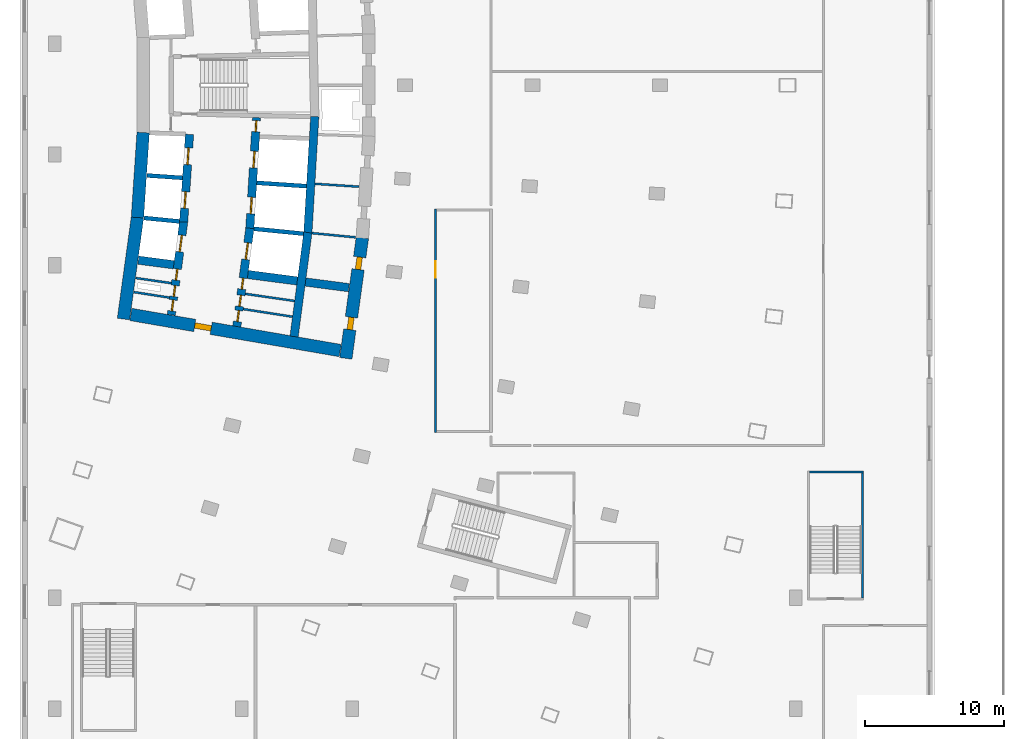
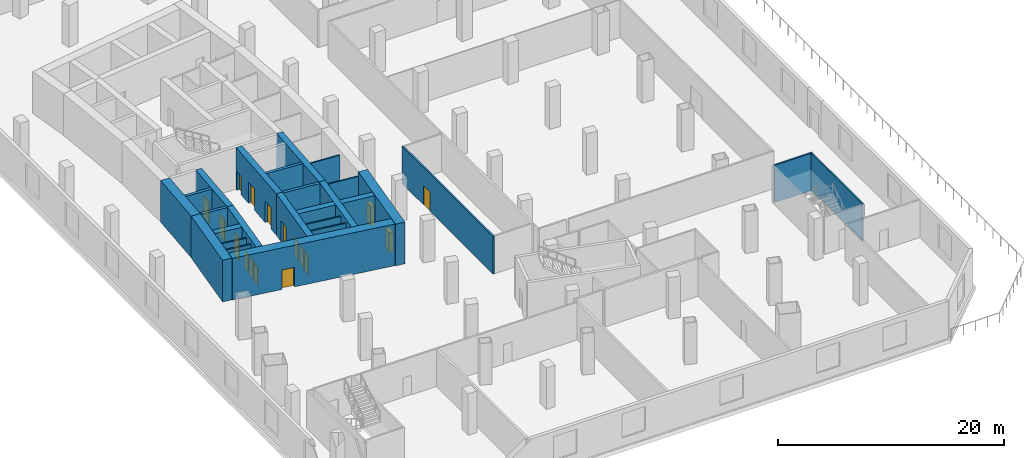
# One storey, part 3 of 14: 26 walls, 17 doors, 17 openings.
"""IFC4 building model written with IfcOpenShell, lengths in metres."""

from ifc_helpers import new_model, si_unit, direction, frame, frame_2d, origin, place, context, subcontext, project, spatial, rectangle, extrude, material, layer, layer_set, type_object, element, fill, save


model = new_model("IFC4")

# Units and contexts
model_context = context("Model", 3, precision=1e-05, world=origin(), true_north=direction((0.0, 1.0)))
body_context = subcontext(model_context, "Body", "Model", "MODEL_VIEW")
ifc_project = project(units=[si_unit("LENGTHUNIT", "METRE"), si_unit("AREAUNIT", "SQUARE_METRE"), si_unit("VOLUMEUNIT", "CUBIC_METRE"), si_unit("PLANEANGLEUNIT", "RADIAN"), si_unit("MASSUNIT", "GRAM", prefix="KILO")], contexts=[model_context])

# Site, building, storey
site_placement = place(None, origin())
site = spatial("IfcSite", under=ifc_project, at=site_placement, CompositionType="ELEMENT")
building_placement = place(site_placement, origin())
building = spatial("IfcBuilding", under=site, at=building_placement, Name="Alderwake Tower", CompositionType="ELEMENT")
storey_placement = place(building_placement, frame((0.0, 0.0, 23.0)))
storey = spatial("IfcBuildingStorey", under=building, at=storey_placement, Name="L04", CompositionType="ELEMENT", Elevation=23.0)

# Walls
ifc_material_1 = material(Name="Gypsum shaft wall system, rated")
ifc_layer_1 = layer(ifc_material_1, 0.14990234375)
ifc_layer_set_1 = layer_set([ifc_layer_1], Name="Core room partition 150")
wall_type_1 = type_object("IfcWallType", Name="Core room partition 150", PredefinedType="PARTITIONING", material=ifc_layer_set_1)
wall_1_placement = place(storey_placement, frame((16.2216796875, 46.0673828125, 0.0), z_axis=(0.0, 0.0, 1.0), x_axis=(0.988167260949, -0.153380130356, 0.0)))
element("IfcWall", 1, at=wall_1_placement, inside=storey, type_object=wall_type_1, Name="CW/L04/PR-161_+0", PredefinedType="PARTITIONING", context=body_context, shape_type="SweptSolid", body=[
    extrude(rectangle(XDim=2.593017578125, YDim=0.14990234375, at=frame_2d((1.29638671875, 0.0))), origin(), (0.0, 0.0, 1.0), 4.050048828125),
])
wall_2_placement = place(storey_placement, frame((24.117431640625, 44.842041015625, 0.0), z_axis=(0.0, 0.0, 1.0), x_axis=(0.988173903359, -0.153337329832, 0.0)))
element("IfcWall", 2, at=wall_2_placement, inside=storey, type_object=wall_type_1, Name="CW/L04/PR-161_+86", PredefinedType="PARTITIONING", context=body_context, shape_type="SweptSolid", body=[
    extrude(rectangle(XDim=3.5966796875, YDim=0.14990234375, at=frame_2d((1.79833984375, 0.0))), origin(), (0.0, 0.0, 1.0), 4.050048828125),
])
wall_3_placement = place(storey_placement, frame((16.361328125, 47.08203125, 0.0), z_axis=(0.0, 0.0, 1.0), x_axis=(0.989733250733, -0.142926877787, 0.0)))
element("IfcWall", 3, at=wall_3_placement, inside=storey, type_object=wall_type_1, Name="CW/L04/PR-150_+0", PredefinedType="PARTITIONING", context=body_context, shape_type="SweptSolid", body=[
    extrude(rectangle(XDim=2.587890625, YDim=0.14990234375, at=frame_2d((1.2939453125, 0.0))), origin(), (0.0, 0.0, 1.0), 4.050048828125),
])
wall_4_placement = place(storey_placement, frame((24.263916015625, 45.940673828125, 0.0), z_axis=(0.0, 0.0, 1.0), x_axis=(0.989732412963, -0.142932679013, 0.0)))
element("IfcWall", 4, at=wall_4_placement, inside=storey, type_object=wall_type_1, Name="CW/L04/PR-150_+86", PredefinedType="PARTITIONING", context=body_context, shape_type="SweptSolid", body=[
    extrude(rectangle(XDim=3.595458984375, YDim=0.14990234375, at=frame_2d((1.7978515625, 0.0))), origin(), (0.0, 0.0, 1.0), 4.050048828125),
])
wall_5_placement = place(storey_placement, frame((29.0791015625, 50.326416015625, 0.0), z_axis=(0.0, 0.0, 1.0), x_axis=(0.995249181795, -0.097360495766, 0.0)))
element("IfcWall", 5, at=wall_5_placement, inside=storey, type_object=wall_type_1, Name="CW/L04/PR-102_+128", PredefinedType="PARTITIONING", context=body_context, shape_type="SweptSolid", body=[
    extrude(rectangle(XDim=3.169677734375, YDim=0.14990234375, at=frame_2d((1.5849609375, 0.0))), origin(), (0.0, 0.0, 1.0), 4.050048828125),
])
wall_6_placement = place(storey_placement, frame((29.289794921875, 53.883056640625, 0.0), z_axis=(0.0, 0.0, 1.0), x_axis=(0.997885290873, -0.064999586616, 0.0)))
element("IfcWall", 6, at=wall_6_placement, inside=storey, type_object=wall_type_1, Name="CW/L04/PR-68_+128", PredefinedType="PARTITIONING", context=body_context, shape_type="SweptSolid", body=[
    extrude(rectangle(XDim=3.18896484375, YDim=0.14990234375, at=frame_2d((1.594482421875, 0.0))), origin(), (0.0, 0.0, 1.0), 4.050048828125),
])
ifc_material_2 = material(Name="Concrete C70/85", Category="concrete")
ifc_layer_2 = layer(ifc_material_2, 0.89990234375)
ifc_layer_set_2 = layer_set([ifc_layer_2], Name="Core wall outer 900 C70-85")
wall_type_2 = type_object("IfcWallType", Name="Core wall outer 900 C70-85", PredefinedType="SHEAR", material=ifc_layer_set_2)
wall_7_placement = place(storey_placement, frame((15.46923828125, 44.1201171875, 0.0), z_axis=(0.0, 0.0, 1.0), x_axis=(0.136337234661, 0.990662484626, 0.0)))
element("IfcWall", 7, at=wall_7_placement, inside=storey, type_object=wall_type_2, Name="Core wall CW.042", PredefinedType="SHEAR", context=body_context, shape_type="SweptSolid", body=[
    extrude(rectangle(XDim=7.431396484375, YDim=0.89990234375, at=frame_2d((3.7158203125, 0.0))), origin(), (0.0, 0.0, 1.0), 4.5),
])
wall_8_placement = place(storey_placement, frame((16.47900390625, 51.449951171875, 0.0), z_axis=(0.0, 0.0, 1.0), x_axis=(0.06689316208, 0.997760143956, 0.0)))
element("IfcWall", 8, at=wall_8_placement, inside=storey, type_object=wall_type_2, Name="Core wall CW.041", PredefinedType="SHEAR", context=body_context, shape_type="SweptSolid", body=[
    extrude(rectangle(XDim=6.149658203125, YDim=0.89990234375, at=frame_2d((3.07470703125, 0.0))), origin(), (0.0, 0.0, 1.0), 4.5),
])

# Wall, openings, doors
wall_9_placement = place(storey_placement, frame((32.7138671875, 49.9873046875, 0.0), z_axis=(0.0, 0.0, 1.0), x_axis=(-0.135844728876, -0.990730139663, 0.0)))
wall_9 = element("IfcWall", 9, at=wall_9_placement, inside=storey, type_object=wall_type_2, Name="Core wall CW.012", PredefinedType="SHEAR", context=body_context, shape_type="SweptSolid", body=[
    extrude(rectangle(XDim=8.78662109375, YDim=0.89990234375, at=frame_2d((4.393310546875, 0.0))), origin(), (0.0, 0.0, 1.0), 4.5),
])
opening_1_placement = place(wall_9_placement, frame((1.40673828125, 0.0, 0.0)))
opening_1 = element("IfcOpeningElement", 10, at=opening_1_placement, cuts=wall_9, Name="Opening C050", PredefinedType="OPENING", context=body_context, shape_type="SweptSolid", body=[
    extrude(rectangle(XDim=0.89990234375, YDim=2.10009765625, at=frame_2d((0.449951171875, 1.050048828125))), frame((0.0, 0.4599609375, 0.0), z_axis=(0.0, -1.0, 0.0), x_axis=(1.0, 0.0, 0.0)), (0.0, 0.0, 1.0), 0.919921875),
])
opening_2_placement = place(wall_9_placement, frame((5.79248046875, 0.0, 0.0)))
opening_2 = element("IfcOpeningElement", 11, at=opening_2_placement, cuts=wall_9, Name="Opening C061", PredefinedType="OPENING", context=body_context, shape_type="SweptSolid", body=[
    extrude(rectangle(XDim=0.89990234375, YDim=2.10009765625, at=frame_2d((0.449951171875, 1.050048828125))), frame((0.0, 0.4599609375, 0.0), z_axis=(0.0, -1.0, 0.0), x_axis=(1.0, 0.0, 0.0)), (0.0, 0.0, 1.0), 0.919921875),
])
ifc_material_3 = material(Name="Painted steel leaf", Category="steel")
door_type_1 = type_object("IfcDoorType", Name="Core room door 900", OperationType="SINGLE_SWING_LEFT", PredefinedType="DOOR", material=ifc_material_3)
door_1_placement = place(opening_1_placement, origin())
door_1 = element("IfcDoor", 12, at=door_1_placement, inside=storey, type_object=door_type_1, Name="Room door", OperationType="SINGLE_SWING_RIGHT", OverallHeight=2.10009765625, OverallWidth=0.89990234375, PredefinedType="DOOR", context=body_context, shape_type="SweptSolid", body=[
    extrude(rectangle(XDim=0.89990234375, YDim=2.10009765625, at=frame_2d((0.449951171875, 1.050048828125))), frame((0.0, 0.199951171875, 0.0), z_axis=(0.0, -1.0, 0.0), x_axis=(1.0, 0.0, 0.0)), (0.0, 0.0, 1.0), 0.39990234375),
])
fill(opening_1, door_1)
door_2_placement = place(opening_2_placement, origin())
door_2 = element("IfcDoor", 13, at=door_2_placement, inside=storey, type_object=door_type_1, Name="Room door", OperationType="SINGLE_SWING_LEFT", OverallHeight=2.10009765625, OverallWidth=0.89990234375, PredefinedType="DOOR", context=body_context, shape_type="SweptSolid", body=[
    extrude(rectangle(XDim=0.89990234375, YDim=2.10009765625, at=frame_2d((0.449951171875, 1.050048828125))), frame((0.0, 0.199951171875, 0.0), z_axis=(0.0, -1.0, 0.0), x_axis=(1.0, 0.0, 0.0)), (0.0, 0.0, 1.0), 0.39990234375),
])
fill(opening_2, door_2)

# Wall, opening, door
wall_10_placement = place(storey_placement, frame((31.11328125, 41.846923828125, 0.0), z_axis=(0.0, 0.0, 1.0), x_axis=(-0.985466640605, 0.169869067972, 0.0)))
wall_10 = element("IfcWall", 14, at=wall_10_placement, inside=storey, type_object=wall_type_2, Name="Core wall CW.070", PredefinedType="SHEAR", context=body_context, shape_type="SweptSolid", body=[
    extrude(rectangle(XDim=15.336669921875, YDim=0.89990234375, at=frame_2d((7.66845703125, 0.0))), origin(), (0.0, 0.0, 1.0), 4.5),
])
opening_3_placement = place(wall_10_placement, frame((9.451904296875, 0.0, 0.0)))
opening_3 = element("IfcOpeningElement", 15, at=opening_3_placement, cuts=wall_10, Name="Opening C003", PredefinedType="OPENING", context=body_context, shape_type="SweptSolid", body=[
    extrude(rectangle(XDim=1.199951171875, YDim=2.10009765625, at=frame_2d((0.60009765625, 1.050048828125))), frame((0.0, 0.4599609375, 0.0), z_axis=(0.0, -1.0, 0.0), x_axis=(1.0, 0.0, 0.0)), (0.0, 0.0, 1.0), 0.919921875),
])
ifc_material_4 = material(Name="Steel-framed fire door leaf", Category="steel")
door_type_2 = type_object("IfcDoorType", Name="Core lobby exit door 1200 fire-rated", OperationType="SINGLE_SWING_LEFT", PredefinedType="DOOR", material=ifc_material_4)
door_3_placement = place(opening_3_placement, origin())
door_3 = element("IfcDoor", 16, at=door_3_placement, inside=storey, type_object=door_type_2, Name="Lobby door", OperationType="SINGLE_SWING_LEFT", OverallHeight=2.10009765625, OverallWidth=1.199951171875, PredefinedType="DOOR", context=body_context, shape_type="SweptSolid", body=[
    extrude(rectangle(XDim=1.199951171875, YDim=2.10009765625, at=frame_2d((0.60009765625, 1.050048828125))), frame((0.0, 0.199951171875, 0.0), z_axis=(0.0, -1.0, 0.0), x_axis=(1.0, 0.0, 0.0)), (0.0, 0.0, 1.0), 0.39990234375),
])
fill(opening_3, door_3)

# Walls
ifc_material_5 = material(Name="Concrete C70/85", Category="concrete")
ifc_layer_3 = layer(ifc_material_5, 0.300048828125)
ifc_layer_set_3 = layer_set([ifc_layer_3], Name="Core wall shaft 300 C70-85")
wall_type_3 = type_object("IfcWallType", Name="Core wall shaft 300 C70-85", PredefinedType="SHEAR", material=ifc_layer_set_3)
wall_11_placement = place(storey_placement, frame((16.9580078125, 51.4189453125, 0.0), z_axis=(0.0, 0.0, 1.0), x_axis=(0.995153154577, -0.098337169657, 0.0)))
element("IfcWall", 17, at=wall_11_placement, inside=storey, type_object=wall_type_3, Name="Core wall CW.065", PredefinedType="SHEAR", context=body_context, shape_type="SweptSolid", body=[
    extrude(rectangle(XDim=2.569580078125, YDim=0.300048828125, at=frame_2d((1.28466796875, 0.0))), origin(), (0.0, 0.0, 1.0), 4.5),
])
wall_12_placement = place(storey_placement, frame((24.889404296875, 50.635009765625, 0.0), z_axis=(0.0, 0.0, 1.0), x_axis=(0.995156121494, -0.098307140396, 0.0)))
element("IfcWall", 18, at=wall_12_placement, inside=storey, type_object=wall_type_3, Name="Core wall CW.066", PredefinedType="SHEAR", context=body_context, shape_type="SweptSolid", body=[
    extrude(rectangle(XDim=3.595947265625, YDim=0.300048828125, at=frame_2d((1.7978515625, 0.0))), origin(), (0.0, 0.0, 1.0), 4.5),
])
wall_13_placement = place(storey_placement, frame((17.16357421875, 54.486083984375, 0.0), z_axis=(0.0, 0.0, 1.0), x_axis=(0.997758581961, -0.066916456292, 0.0)))
element("IfcWall", 19, at=wall_13_placement, inside=storey, type_object=wall_type_3, Name="Core wall CW.079", PredefinedType="SHEAR", context=body_context, shape_type="SweptSolid", body=[
    extrude(rectangle(XDim=2.568603515625, YDim=0.300048828125, at=frame_2d((1.2841796875, 0.0))), origin(), (0.0, 0.0, 1.0), 4.5),
])
wall_14_placement = place(storey_placement, frame((25.090087890625, 53.954833984375, 0.0), z_axis=(0.0, 0.0, 1.0), x_axis=(0.997758045734, -0.066924451231, 0.0)))
element("IfcWall", 20, at=wall_14_placement, inside=storey, type_object=wall_type_3, Name="Core wall CW.080", PredefinedType="SHEAR", context=body_context, shape_type="SweptSolid", body=[
    extrude(rectangle(XDim=3.596923828125, YDim=0.300048828125, at=frame_2d((1.79833984375, 0.0))), origin(), (0.0, 0.0, 1.0), 4.5),
])

# Wall, openings, doors
ifc_material_6 = material(Name="Concrete C70/85", Category="concrete")
ifc_layer_4 = layer(ifc_material_6, 0.60009765625)
ifc_layer_set_4 = layer_set([ifc_layer_4], Name="Core wall spine 600 C70-85")
wall_type_4 = type_object("IfcWallType", Name="Core wall spine 600 C70-85", PredefinedType="SHEAR", material=ifc_layer_set_4)
wall_15_placement = place(storey_placement, frame((19.815185546875, 51.14697265625, 0.0), z_axis=(0.0, 0.0, 1.0), x_axis=(-0.131854836214, -0.991269036219, 0.0)))
wall_15 = element("IfcWall", 21, at=wall_15_placement, inside=storey, type_object=wall_type_4, Name="Core wall CW.033", PredefinedType="SHEAR", context=body_context, shape_type="SweptSolid", body=[
    extrude(rectangle(XDim=6.782470703125, YDim=0.60009765625, at=frame_2d((3.39111328125, 0.0))), origin(), (0.0, 0.0, 1.0), 4.5),
])
opening_4_placement = place(wall_15_placement, frame((0.9921875, 0.0, 0.0)))
opening_4 = element("IfcOpeningElement", 22, at=opening_4_placement, cuts=wall_15, Name="Opening LD-LP1", PredefinedType="OPENING", context=body_context, shape_type="SweptSolid", body=[
    extrude(rectangle(XDim=1.199951171875, YDim=2.300048828125, at=frame_2d((0.60009765625, 1.14990234375))), frame((0.0, 0.31005859375, 0.0), z_axis=(0.0, -1.0, 0.0), x_axis=(1.0, 0.0, 0.0)), (0.0, 0.0, 1.0), 0.6201171875),
])
opening_5_placement = place(wall_15_placement, frame((5.699951171875, 0.0, 0.0)))
opening_5 = element("IfcOpeningElement", 23, at=opening_5_placement, cuts=wall_15, Name="Opening C009", PredefinedType="OPENING", context=body_context, shape_type="SweptSolid", body=[
    extrude(rectangle(XDim=0.800048828125, YDim=2.0, at=frame_2d((0.39990234375, 1.0))), frame((0.0, 0.31005859375, 0.0), z_axis=(0.0, -1.0, 0.0), x_axis=(1.0, 0.0, 0.0)), (0.0, 0.0, 1.0), 0.6201171875),
])
opening_6_placement = place(wall_15_placement, frame((4.64501953125, 0.0, 0.0)))
opening_6 = element("IfcOpeningElement", 24, at=opening_6_placement, cuts=wall_15, Name="Opening C011", PredefinedType="OPENING", context=body_context, shape_type="SweptSolid", body=[
    extrude(rectangle(XDim=0.800048828125, YDim=2.0, at=frame_2d((0.39990234375, 1.0))), frame((0.0, 0.31005859375, 0.0), z_axis=(0.0, -1.0, 0.0), x_axis=(1.0, 0.0, 0.0)), (0.0, 0.0, 1.0), 0.6201171875),
])
opening_7_placement = place(wall_15_placement, frame((3.4462890625, 0.0, 0.0)))
opening_7 = element("IfcOpeningElement", 25, at=opening_7_placement, cuts=wall_15, Name="Opening C012", PredefinedType="OPENING", context=body_context, shape_type="SweptSolid", body=[
    extrude(rectangle(XDim=0.800048828125, YDim=2.0, at=frame_2d((0.39990234375, 1.0))), frame((0.0, 0.31005859375, 0.0), z_axis=(0.0, -1.0, 0.0), x_axis=(1.0, 0.0, 0.0)), (0.0, 0.0, 1.0), 0.6201171875),
])
ifc_material_7 = material(Name="Stainless steel sliding leaf", Category="steel")
door_type_3 = type_object("IfcDoorType", Name="Lift landing door 1200", OperationType="SLIDING_TO_LEFT", PredefinedType="DOOR", material=ifc_material_7)
door_4_placement = place(opening_4_placement, origin())
door_4 = element("IfcDoor", 26, at=door_4_placement, inside=storey, type_object=door_type_3, Name="Lift landing door LP1", OperationType="SLIDING_TO_LEFT", OverallHeight=2.300048828125, OverallWidth=1.199951171875, PredefinedType="DOOR", context=body_context, shape_type="SweptSolid", body=[
    extrude(rectangle(XDim=1.199951171875, YDim=2.300048828125, at=frame_2d((0.60009765625, 1.14990234375))), frame((0.0, 0.050048828125, 0.0), z_axis=(0.0, -1.0, 0.0), x_axis=(1.0, 0.0, 0.0)), (0.0, 0.0, 1.0), 0.10009765625),
])
fill(opening_4, door_4)
ifc_material_8 = material(Name="Painted steel leaf, rated", Category="steel")
door_type_4 = type_object("IfcDoorType", Name="Riser access door 800", OperationType="SINGLE_SWING_LEFT", PredefinedType="DOOR", material=ifc_material_8)
door_5_placement = place(opening_5_placement, origin())
door_5 = element("IfcDoor", 27, at=door_5_placement, inside=storey, type_object=door_type_4, Name="Riser access door", OperationType="SINGLE_SWING_LEFT", OverallHeight=2.0, OverallWidth=0.800048828125, PredefinedType="DOOR", context=body_context, shape_type="SweptSolid", body=[
    extrude(rectangle(XDim=0.800048828125, YDim=2.0, at=frame_2d((0.39990234375, 1.0))), frame((0.0, 0.050048828125, 0.0), z_axis=(0.0, -1.0, 0.0), x_axis=(1.0, 0.0, 0.0)), (0.0, 0.0, 1.0), 0.10009765625),
])
fill(opening_5, door_5)
door_6_placement = place(opening_6_placement, origin())
door_6 = element("IfcDoor", 28, at=door_6_placement, inside=storey, type_object=door_type_4, Name="Riser access door", OperationType="SINGLE_SWING_RIGHT", OverallHeight=2.0, OverallWidth=0.800048828125, PredefinedType="DOOR", context=body_context, shape_type="SweptSolid", body=[
    extrude(rectangle(XDim=0.800048828125, YDim=2.0, at=frame_2d((0.39990234375, 1.0))), frame((0.0, 0.050048828125, 0.0), z_axis=(0.0, -1.0, 0.0), x_axis=(1.0, 0.0, 0.0)), (0.0, 0.0, 1.0), 0.10009765625),
])
fill(opening_6, door_6)
door_7_placement = place(opening_7_placement, origin())
door_7 = element("IfcDoor", 29, at=door_7_placement, inside=storey, type_object=door_type_4, Name="Riser access door", OperationType="SINGLE_SWING_LEFT", OverallHeight=2.0, OverallWidth=0.800048828125, PredefinedType="DOOR", context=body_context, shape_type="SweptSolid", body=[
    extrude(rectangle(XDim=0.800048828125, YDim=2.0, at=frame_2d((0.39990234375, 1.0))), frame((0.0, 0.050048828125, 0.0), z_axis=(0.0, -1.0, 0.0), x_axis=(1.0, 0.0, 0.0)), (0.0, 0.0, 1.0), 0.10009765625),
])
fill(opening_7, door_7)

wall_16_placement = place(storey_placement, frame((19.813232421875, 51.12646484375, 0.0), z_axis=(0.0, 0.0, 1.0), x_axis=(0.066892179723, 0.997760209816, 0.0)))
wall_16 = element("IfcWall", 30, at=wall_16_placement, inside=storey, type_object=wall_type_4, Name="Core wall CW.032", PredefinedType="SHEAR", context=body_context, shape_type="SweptSolid", body=[
    extrude(rectangle(XDim=6.339599609375, YDim=0.60009765625, at=frame_2d((3.169921875, 0.0))), origin(), (0.0, 0.0, 1.0), 4.5),
])
opening_8_placement = place(wall_16_placement, frame((0.992431640625, 0.0, 0.0)))
opening_8 = element("IfcOpeningElement", 31, at=opening_8_placement, cuts=wall_16, Name="Opening LD-LP2", PredefinedType="OPENING", context=body_context, shape_type="SweptSolid", body=[
    extrude(rectangle(XDim=1.199951171875, YDim=2.300048828125, at=frame_2d((0.60009765625, 1.14990234375))), frame((0.0, 0.31005859375, 0.0), z_axis=(0.0, -1.0, 0.0), x_axis=(1.0, 0.0, 0.0)), (0.0, 0.0, 1.0), 0.6201171875),
])
opening_9_placement = place(wall_16_placement, frame((4.157470703125, 0.0, 0.0)))
opening_9 = element("IfcOpeningElement", 32, at=opening_9_placement, cuts=wall_16, Name="Opening LD-LP3", PredefinedType="OPENING", context=body_context, shape_type="SweptSolid", body=[
    extrude(rectangle(XDim=1.199951171875, YDim=2.300048828125, at=frame_2d((0.60009765625, 1.14990234375))), frame((0.0, 0.31005859375, 0.0), z_axis=(0.0, -1.0, 0.0), x_axis=(1.0, 0.0, 0.0)), (0.0, 0.0, 1.0), 0.6201171875),
])
door_8_placement = place(opening_8_placement, origin())
door_8 = element("IfcDoor", 33, at=door_8_placement, inside=storey, type_object=door_type_3, Name="Lift landing door LP2", OperationType="SLIDING_TO_LEFT", OverallHeight=2.300048828125, OverallWidth=1.199951171875, PredefinedType="DOOR", context=body_context, shape_type="SweptSolid", body=[
    extrude(rectangle(XDim=1.199951171875, YDim=2.300048828125, at=frame_2d((0.60009765625, 1.14990234375))), frame((0.0, 0.050048828125, 0.0), z_axis=(0.0, -1.0, 0.0), x_axis=(1.0, 0.0, 0.0)), (0.0, 0.0, 1.0), 0.10009765625),
])
fill(opening_8, door_8)
door_9_placement = place(opening_9_placement, origin())
door_9 = element("IfcDoor", 34, at=door_9_placement, inside=storey, type_object=door_type_3, Name="Lift landing door LP3", OperationType="SLIDING_TO_LEFT", OverallHeight=2.300048828125, OverallWidth=1.199951171875, PredefinedType="DOOR", context=body_context, shape_type="SweptSolid", body=[
    extrude(rectangle(XDim=1.199951171875, YDim=2.300048828125, at=frame_2d((0.60009765625, 1.14990234375))), frame((0.0, 0.050048828125, 0.0), z_axis=(0.0, -1.0, 0.0), x_axis=(1.0, 0.0, 0.0)), (0.0, 0.0, 1.0), 0.10009765625),
])
fill(opening_9, door_9)

wall_17_placement = place(storey_placement, frame((23.647705078125, 43.588134765625, 0.0), z_axis=(0.0, 0.0, 1.0), x_axis=(0.132069785658, 0.991240420744, 0.0)))
wall_17 = element("IfcWall", 35, at=wall_17_placement, inside=storey, type_object=wall_type_4, Name="Core wall CW.047", PredefinedType="SHEAR", context=body_context, shape_type="SweptSolid", body=[
    extrude(rectangle(XDim=7.150390625, YDim=0.60009765625, at=frame_2d((3.5751953125, 0.0))), origin(), (0.0, 0.0, 1.0), 4.5),
])
opening_10_placement = place(wall_17_placement, frame((4.88134765625, 0.0, 0.0)))
opening_10 = element("IfcOpeningElement", 36, at=opening_10_placement, cuts=wall_17, Name="Opening LD-LP4", PredefinedType="OPENING", context=body_context, shape_type="SweptSolid", body=[
    extrude(rectangle(XDim=1.199951171875, YDim=2.300048828125, at=frame_2d((0.60009765625, 1.14990234375))), frame((0.0, 0.31005859375, 0.0), z_axis=(0.0, -1.0, 0.0), x_axis=(1.0, 0.0, 0.0)), (0.0, 0.0, 1.0), 0.6201171875),
])
opening_11_placement = place(wall_17_placement, frame((0.35791015625, 0.0, 0.0)))
opening_11 = element("IfcOpeningElement", 37, at=opening_11_placement, cuts=wall_17, Name="Opening C016", PredefinedType="OPENING", context=body_context, shape_type="SweptSolid", body=[
    extrude(rectangle(XDim=0.800048828125, YDim=2.0, at=frame_2d((0.39990234375, 1.0))), frame((0.0, 0.31005859375, 0.0), z_axis=(0.0, -1.0, 0.0), x_axis=(1.0, 0.0, 0.0)), (0.0, 0.0, 1.0), 0.6201171875),
])
opening_12_placement = place(wall_17_placement, frame((1.46337890625, 0.0, 0.0)))
opening_12 = element("IfcOpeningElement", 38, at=opening_12_placement, cuts=wall_17, Name="Opening C018", PredefinedType="OPENING", context=body_context, shape_type="SweptSolid", body=[
    extrude(rectangle(XDim=0.800048828125, YDim=2.0, at=frame_2d((0.39990234375, 1.0))), frame((0.0, 0.31005859375, 0.0), z_axis=(0.0, -1.0, 0.0), x_axis=(1.0, 0.0, 0.0)), (0.0, 0.0, 1.0), 0.6201171875),
])
opening_13_placement = place(wall_17_placement, frame((2.719482421875, 0.0, 0.0)))
opening_13 = element("IfcOpeningElement", 39, at=opening_13_placement, cuts=wall_17, Name="Opening C019", PredefinedType="OPENING", context=body_context, shape_type="SweptSolid", body=[
    extrude(rectangle(XDim=0.800048828125, YDim=2.0, at=frame_2d((0.39990234375, 1.0))), frame((0.0, 0.31005859375, 0.0), z_axis=(0.0, -1.0, 0.0), x_axis=(1.0, 0.0, 0.0)), (0.0, 0.0, 1.0), 0.6201171875),
])
door_10_placement = place(opening_10_placement, origin())
door_10 = element("IfcDoor", 40, at=door_10_placement, inside=storey, type_object=door_type_3, Name="Lift landing door LP4", OperationType="SLIDING_TO_LEFT", OverallHeight=2.300048828125, OverallWidth=1.199951171875, PredefinedType="DOOR", context=body_context, shape_type="SweptSolid", body=[
    extrude(rectangle(XDim=1.199951171875, YDim=2.300048828125, at=frame_2d((0.60009765625, 1.14990234375))), frame((0.0, 0.050048828125, 0.0), z_axis=(0.0, -1.0, 0.0), x_axis=(1.0, 0.0, 0.0)), (0.0, 0.0, 1.0), 0.10009765625),
])
fill(opening_10, door_10)
door_11_placement = place(opening_11_placement, origin())
door_11 = element("IfcDoor", 41, at=door_11_placement, inside=storey, type_object=door_type_4, Name="Riser access door", OperationType="SINGLE_SWING_RIGHT", OverallHeight=2.0, OverallWidth=0.800048828125, PredefinedType="DOOR", context=body_context, shape_type="SweptSolid", body=[
    extrude(rectangle(XDim=0.800048828125, YDim=2.0, at=frame_2d((0.39990234375, 1.0))), frame((0.0, 0.050048828125, 0.0), z_axis=(0.0, -1.0, 0.0), x_axis=(1.0, 0.0, 0.0)), (0.0, 0.0, 1.0), 0.10009765625),
])
fill(opening_11, door_11)
door_12_placement = place(opening_12_placement, origin())
door_12 = element("IfcDoor", 42, at=door_12_placement, inside=storey, type_object=door_type_4, Name="Riser access door", OperationType="SINGLE_SWING_LEFT", OverallHeight=2.0, OverallWidth=0.800048828125, PredefinedType="DOOR", context=body_context, shape_type="SweptSolid", body=[
    extrude(rectangle(XDim=0.800048828125, YDim=2.0, at=frame_2d((0.39990234375, 1.0))), frame((0.0, 0.050048828125, 0.0), z_axis=(0.0, -1.0, 0.0), x_axis=(1.0, 0.0, 0.0)), (0.0, 0.0, 1.0), 0.10009765625),
])
fill(opening_12, door_12)
door_13_placement = place(opening_13_placement, origin())
door_13 = element("IfcDoor", 43, at=door_13_placement, inside=storey, type_object=door_type_4, Name="Riser access door", OperationType="SINGLE_SWING_RIGHT", OverallHeight=2.0, OverallWidth=0.800048828125, PredefinedType="DOOR", context=body_context, shape_type="SweptSolid", body=[
    extrude(rectangle(XDim=0.800048828125, YDim=2.0, at=frame_2d((0.39990234375, 1.0))), frame((0.0, 0.050048828125, 0.0), z_axis=(0.0, -1.0, 0.0), x_axis=(1.0, 0.0, 0.0)), (0.0, 0.0, 1.0), 0.10009765625),
])
fill(opening_13, door_13)

wall_18_placement = place(storey_placement, frame((24.58984375, 50.6533203125, 0.0), z_axis=(0.0, 0.0, 1.0), x_axis=(0.060323309079, 0.998178890972, 0.0)))
wall_18 = element("IfcWall", 44, at=wall_18_placement, inside=storey, type_object=wall_type_4, Name="Core wall CW.046", PredefinedType="SHEAR", context=body_context, shape_type="SweptSolid", body=[
    extrude(rectangle(XDim=8.025634765625, YDim=0.60009765625, at=frame_2d((4.0126953125, 0.0))), origin(), (0.0, 0.0, 1.0), 4.5),
])
opening_14_placement = place(wall_18_placement, frame((1.06884765625, 0.0, 0.0)))
opening_14 = element("IfcOpeningElement", 45, at=opening_14_placement, cuts=wall_18, Name="Opening LD-LP5", PredefinedType="OPENING", context=body_context, shape_type="SweptSolid", body=[
    extrude(rectangle(XDim=1.199951171875, YDim=2.300048828125, at=frame_2d((0.60009765625, 1.14990234375))), frame((0.0, 0.31005859375, 0.0), z_axis=(0.0, -1.0, 0.0), x_axis=(1.0, 0.0, 0.0)), (0.0, 0.0, 1.0), 0.6201171875),
])
opening_15_placement = place(wall_18_placement, frame((4.38525390625, 0.0, 0.0)))
opening_15 = element("IfcOpeningElement", 46, at=opening_15_placement, cuts=wall_18, Name="Opening LD-LP6", PredefinedType="OPENING", context=body_context, shape_type="SweptSolid", body=[
    extrude(rectangle(XDim=1.199951171875, YDim=2.300048828125, at=frame_2d((0.60009765625, 1.14990234375))), frame((0.0, 0.31005859375, 0.0), z_axis=(0.0, -1.0, 0.0), x_axis=(1.0, 0.0, 0.0)), (0.0, 0.0, 1.0), 0.6201171875),
])
opening_16_placement = place(wall_18_placement, frame((7.009521484375, 0.0, 0.0)))
opening_16 = element("IfcOpeningElement", 47, at=opening_16_placement, cuts=wall_18, Name="Opening C006", PredefinedType="OPENING", context=body_context, shape_type="SweptSolid", body=[
    extrude(rectangle(XDim=0.800048828125, YDim=2.0, at=frame_2d((0.39990234375, 1.0))), frame((0.0, 0.31005859375, 0.0), z_axis=(0.0, -1.0, 0.0), x_axis=(1.0, 0.0, 0.0)), (0.0, 0.0, 1.0), 0.6201171875),
])
door_14_placement = place(opening_14_placement, origin())
door_14 = element("IfcDoor", 48, at=door_14_placement, inside=storey, type_object=door_type_3, Name="Lift landing door LP5", OperationType="SLIDING_TO_LEFT", OverallHeight=2.300048828125, OverallWidth=1.199951171875, PredefinedType="DOOR", context=body_context, shape_type="SweptSolid", body=[
    extrude(rectangle(XDim=1.199951171875, YDim=2.300048828125, at=frame_2d((0.60009765625, 1.14990234375))), frame((0.0, 0.050048828125, 0.0), z_axis=(0.0, -1.0, 0.0), x_axis=(1.0, 0.0, 0.0)), (0.0, 0.0, 1.0), 0.10009765625),
])
fill(opening_14, door_14)
door_15_placement = place(opening_15_placement, origin())
door_15 = element("IfcDoor", 49, at=door_15_placement, inside=storey, type_object=door_type_3, Name="Lift landing door LP6", OperationType="SLIDING_TO_LEFT", OverallHeight=2.300048828125, OverallWidth=1.199951171875, PredefinedType="DOOR", context=body_context, shape_type="SweptSolid", body=[
    extrude(rectangle(XDim=1.199951171875, YDim=2.300048828125, at=frame_2d((0.60009765625, 1.14990234375))), frame((0.0, 0.050048828125, 0.0), z_axis=(0.0, -1.0, 0.0), x_axis=(1.0, 0.0, 0.0)), (0.0, 0.0, 1.0), 0.10009765625),
])
fill(opening_15, door_15)
door_16_placement = place(opening_16_placement, origin())
door_16 = element("IfcDoor", 50, at=door_16_placement, inside=storey, type_object=door_type_4, Name="Riser access door", OperationType="SINGLE_SWING_RIGHT", OverallHeight=2.0, OverallWidth=0.800048828125, PredefinedType="DOOR", context=body_context, shape_type="SweptSolid", body=[
    extrude(rectangle(XDim=0.800048828125, YDim=2.0, at=frame_2d((0.39990234375, 1.0))), frame((0.0, 0.050048828125, 0.0), z_axis=(0.0, -1.0, 0.0), x_axis=(1.0, 0.0, 0.0)), (0.0, 0.0, 1.0), 0.10009765625),
])
fill(opening_16, door_16)

# Walls
wall_19_placement = place(storey_placement, frame((27.78369140625, 42.85693359375, 0.0), z_axis=(0.0, 0.0, 1.0), x_axis=(0.131768985664, 0.991280451949, 0.0)))
element("IfcWall", 51, at=wall_19_placement, inside=storey, type_object=wall_type_4, Name="Core wall CW.006", PredefinedType="SHEAR", context=body_context, shape_type="SweptSolid", body=[
    extrude(rectangle(XDim=7.576171875, YDim=0.60009765625, at=frame_2d((3.7880859375, 0.0))), origin(), (0.0, 0.0, 1.0), 4.5),
])
wall_20_placement = place(storey_placement, frame((28.77978515625, 50.34423828125, 0.0), z_axis=(0.0, 0.0, 1.0), x_axis=(0.059133840665, 0.998250063305, 0.0)))
element("IfcWall", 52, at=wall_20_placement, inside=storey, type_object=wall_type_4, Name="Core wall CW.004", PredefinedType="SHEAR", context=body_context, shape_type="SweptSolid", body=[
    extrude(rectangle(XDim=8.409912109375, YDim=0.60009765625, at=frame_2d((4.205078125, 0.0))), origin(), (0.0, 0.0, 1.0), 4.5),
])
wall_21_placement = place(storey_placement, frame((16.5390625, 48.373291015625, 0.0), z_axis=(0.0, 0.0, 1.0), x_axis=(0.99156081818, -0.129642369037, 0.0)))
element("IfcWall", 53, at=wall_21_placement, inside=storey, type_object=wall_type_4, Name="Core wall CW.067", PredefinedType="SHEAR", context=body_context, shape_type="SweptSolid", body=[
    extrude(rectangle(XDim=2.581787109375, YDim=0.60009765625, at=frame_2d((1.291015625, 0.0))), origin(), (0.0, 0.0, 1.0), 4.5),
])
wall_22_placement = place(storey_placement, frame((24.4501953125, 47.338623046875, 0.0), z_axis=(0.0, 0.0, 1.0), x_axis=(0.99155225032, -0.129707882892, 0.0)))
element("IfcWall", 54, at=wall_22_placement, inside=storey, type_object=wall_type_4, Name="Core wall CW.069", PredefinedType="SHEAR", context=body_context, shape_type="SweptSolid", body=[
    extrude(rectangle(XDim=3.594970703125, YDim=0.60009765625, at=frame_2d((1.79736328125, 0.0))), origin(), (0.0, 0.0, 1.0), 4.5),
])
wall_23_placement = place(storey_placement, frame((28.609619140625, 46.794677734375, 0.0), z_axis=(0.0, 0.0, 1.0), x_axis=(0.991551544298, -0.129713279967, 0.0)))
element("IfcWall", 55, at=wall_23_placement, inside=storey, type_object=wall_type_4, Name="Core wall CW.068", PredefinedType="SHEAR", context=body_context, shape_type="SweptSolid", body=[
    extrude(rectangle(XDim=3.152587890625, YDim=0.60009765625, at=frame_2d((1.576171875, 0.0))), origin(), (0.0, 0.0, 1.0), 4.5),
])

# Wall, opening, door
ifc_material_9 = material(Name="Gypsum board on metal studs, rated")
ifc_layer_5 = layer(ifc_material_9, 0.159912109375)
ifc_layer_set_5 = layer_set([ifc_layer_5], Name="Corridor wall 160")
wall_type_5 = type_object("IfcWallType", Name="Corridor wall 160", PredefinedType="PARTITIONING", material=ifc_layer_set_5)
wall_24_placement = place(storey_placement, frame((38.0009765625, 35.919921875, 0.0), z_axis=(0.0, 0.0, 1.0), x_axis=(0.0, 1.0, 0.0)))
wall_24 = element("IfcWall", 56, at=wall_24_placement, inside=storey, type_object=wall_type_5, Name="WL/L04/W33", PredefinedType="PARTITIONING", context=body_context, shape_type="SweptSolid", body=[
    extrude(rectangle(XDim=16.1591796875, YDim=0.159912109375, at=frame_2d((8.07958984375, 0.0))), origin(), (0.0, 0.0, 1.0), 4.050048828125),
])
opening_17_placement = place(wall_24_placement, frame((11.17431640625, 0.0, 0.0)))
opening_17 = element("IfcOpeningElement", 57, at=opening_17_placement, cuts=wall_24, Name="Opening L04-13", PredefinedType="OPENING", context=body_context, shape_type="SweptSolid", body=[
    extrude(rectangle(XDim=1.199951171875, YDim=2.10009765625, at=frame_2d((0.60009765625, 1.050048828125))), frame((0.0, 0.08984375, 0.0), z_axis=(0.0, -1.0, 0.0), x_axis=(1.0, 0.0, 0.0)), (0.0, 0.0, 1.0), 0.179931640625),
])
ifc_material_10 = material(Name="Steel door leaf in steel frame", Category="steel")
door_type_5 = type_object("IfcDoorType", Name="Plant room door 1200 steel", OperationType="SINGLE_SWING_LEFT", PredefinedType="DOOR", material=ifc_material_10)
door_17_placement = place(opening_17_placement, origin())
door_17 = element("IfcDoor", 58, at=door_17_placement, inside=storey, type_object=door_type_5, Name="DR/L04/13", OperationType="SINGLE_SWING_LEFT", OverallHeight=2.10009765625, OverallWidth=1.199951171875, PredefinedType="DOOR", context=body_context, shape_type="SweptSolid", body=[
    extrude(rectangle(XDim=1.199951171875, YDim=2.10009765625, at=frame_2d((0.60009765625, 1.050048828125))), frame((0.0, 0.02490234375, 0.0), z_axis=(0.0, -1.0, 0.0), x_axis=(1.0, 0.0, 0.0)), (0.0, 0.0, 1.0), 0.050048828125),
])
fill(opening_17, door_17)

# Walls
ifc_material_11 = material(Name="Concrete C40/50", Category="concrete")
ifc_layer_6 = layer(ifc_material_11, 0.14990234375)
ifc_layer_set_6 = layer_set([ifc_layer_6], Name="Stair shaft wall 150 C40/50")
wall_type_6 = type_object("IfcWallType", Name="Stair shaft wall 150 C40/50", PredefinedType="SHEAR", material=ifc_layer_set_6)
wall_25_placement = place(storey_placement, frame((68.90087890625, 33.074951171875, 0.0), z_axis=(0.0, 0.0, 1.0), x_axis=(-1.0, 0.0, 0.0)))
element("IfcWall", 59, at=wall_25_placement, inside=storey, type_object=wall_type_6, Name="WL/L04/W19", PredefinedType="SHEAR", context=body_context, shape_type="SweptSolid", body=[
    extrude(rectangle(XDim=3.89990234375, YDim=0.14990234375, at=frame_2d((1.949951171875, 0.0))), origin(), (0.0, 0.0, 1.0), 4.050048828125),
])
wall_26_placement = place(storey_placement, frame((68.825927734375, 33.0, 0.0), z_axis=(0.0, 0.0, 1.0), x_axis=(0.0, -1.0, 0.0)))
element("IfcWall", 60, at=wall_26_placement, inside=storey, type_object=wall_type_6, Name="WL/L04/W20", PredefinedType="SHEAR", context=body_context, shape_type="SweptSolid", body=[
    extrude(rectangle(XDim=9.0, YDim=0.14990234375, at=frame_2d((4.5, 0.0))), origin(), (0.0, 0.0, 1.0), 4.050048828125),
])

save(model, "model.ifc")
